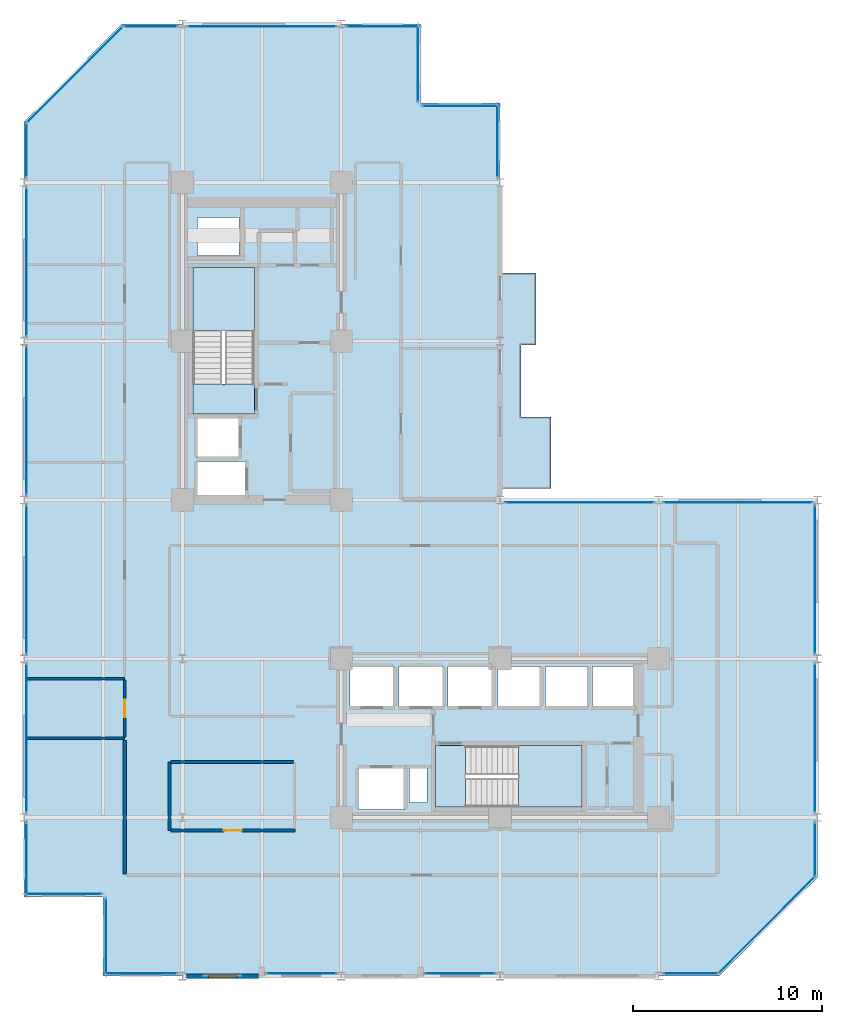
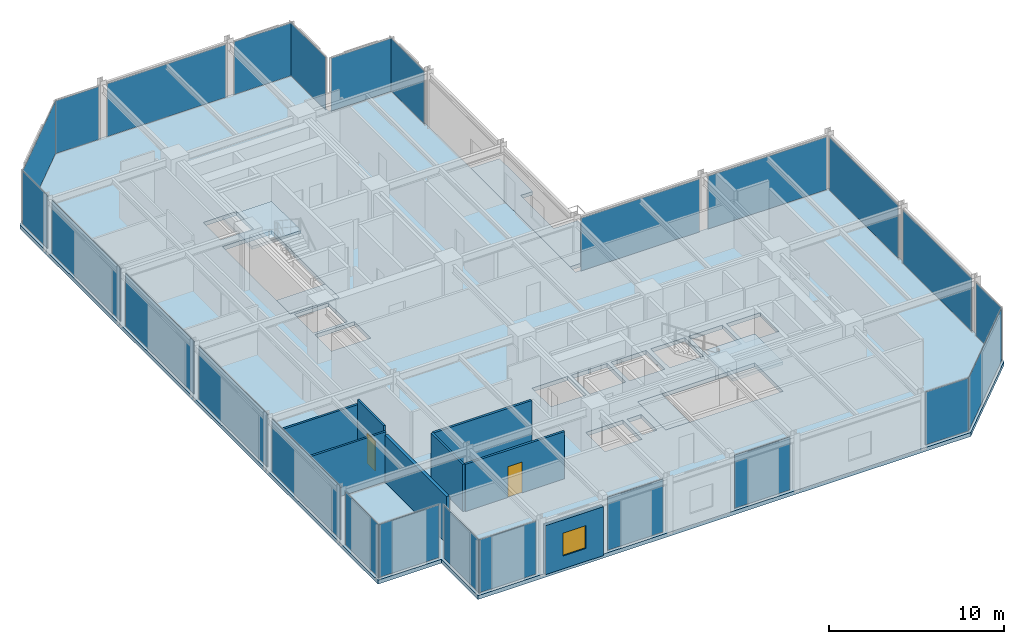
# One storey, part 23 of 29: 25 plates, 8 walls, 6 slabs, 2 doors, 1 window, 3 openings, 27 elements without a shape of their own.
"""IFC4 building model written with IfcOpenShell, lengths in metres."""

from ifc_helpers import new_model, si_unit, direction, frame, frame_2d, origin, origin_2d, place, context, subcontext, project, spatial, polyline, rectangle, outline, extrude, material, layer, layer_set, type_object, element, fill, aggregate, save


model = new_model("IFC4")

# Units and contexts
model_context = context("Model", 3, precision=1e-05, world=origin(), true_north=direction((0.0, 1.0)))
body_context = subcontext(model_context, "Body", "Model", "MODEL_VIEW")
ifc_project = project(units=[si_unit("LENGTHUNIT", "METRE"), si_unit("AREAUNIT", "SQUARE_METRE"), si_unit("VOLUMEUNIT", "CUBIC_METRE"), si_unit("PLANEANGLEUNIT", "RADIAN"), si_unit("MASSUNIT", "GRAM", prefix="KILO")], contexts=[model_context])

# Site, building, storey
site_placement = place(None, origin())
site = spatial("IfcSite", under=ifc_project, at=site_placement, CompositionType="ELEMENT")
building_placement = place(site_placement, origin())
building = spatial("IfcBuilding", under=site, at=building_placement, Name="Nerrivon Quay Data Exchange", CompositionType="ELEMENT")
storey_placement = place(building_placement, frame((0.0, 0.0, 137.699951171875)))
storey = spatial("IfcBuildingStorey", under=building, at=storey_placement, Name="L32", CompositionType="ELEMENT", Elevation=137.699951171875)

# Curtain wall, plate
ifc_material_1 = material(Name="Anodised aluminium 6063-T6", Category="aluminium")
ifc_layer_1 = layer(ifc_material_1, 0.2099609375)
ifc_layer_set_1 = layer_set([ifc_layer_1], Name="Anodised aluminium 6063-T6")
curtain_wall_type = type_object("IfcCurtainWallType", Name="CW-SYS-02", PredefinedType="NOTDEFINED", material=ifc_layer_set_1)
curtain_wall_1_placement = place(storey_placement, origin())
curtain_wall_1 = element("IfcCurtainWall", 1, at=curtain_wall_1_placement, inside=storey, type_object=curtain_wall_type, Name="L32 Unitised Curtain Wall 1", PredefinedType="NOTDEFINED")
ifc_material_2 = material(Name="Double-glazed low-E solar control glass", Category="glass")
ifc_layer_2 = layer(ifc_material_2, 0.028076171875)
ifc_layer_set_2 = layer_set([ifc_layer_2], Name="Double-glazed low-E solar control glass")
plate_type = type_object("IfcPlateType", Name="CWP-GLZ-28", PredefinedType="CURTAIN_PANEL", material=ifc_layer_set_2)
plate_1_placement = place(storey_placement, frame((39.301025390625, 2.698974609375, 0.06494140625), z_axis=(0.0, 0.0, 1.0), x_axis=(-0.707106781187, -0.707106781187, 0.0)))
plate_1 = element("IfcPlate", 2, at=plate_1_placement, type_object=plate_type, Name="CW02 panel 1.1", PredefinedType="CURTAIN_PANEL", context=body_context, shape_type="SweptSolid", body=[
    extrude(rectangle(XDim=7.203857421875, YDim=0.028076171875, at=origin_2d()), origin(), (0.0, 0.0, 1.0), 3.695068359375),
])
aggregate(curtain_wall_1, [plate_1])

curtain_wall_2_placement = place(storey_placement, origin())
curtain_wall_2 = element("IfcCurtainWall", 3, at=curtain_wall_2_placement, inside=storey, type_object=curtain_wall_type, Name="L32 Unitised Curtain Wall 2", PredefinedType="NOTDEFINED")
plate_2_placement = place(storey_placement, frame((35.300048828125, 0.139892578125, 0.06494140625), z_axis=(0.0, 0.0, 1.0), x_axis=(-1.0, 0.0, 0.0)))
plate_2 = element("IfcPlate", 4, at=plate_2_placement, type_object=plate_type, Name="CW02 panel 1.1", PredefinedType="CURTAIN_PANEL", context=body_context, shape_type="SweptSolid", body=[
    extrude(rectangle(XDim=2.85009765625, YDim=0.028076171875, at=origin_2d()), origin(), (0.0, 0.0, 1.0), 3.695068359375),
])
aggregate(curtain_wall_2, [plate_2])

curtain_wall_3_placement = place(storey_placement, origin())
curtain_wall_3 = element("IfcCurtainWall", 5, at=curtain_wall_3_placement, inside=storey, type_object=curtain_wall_type, Name="L32 Unitised Curtain Wall 4", PredefinedType="NOTDEFINED")
plate_3_placement = place(storey_placement, frame((23.08740234375, 0.139892578125, 0.06494140625), z_axis=(0.0, 0.0, 1.0), x_axis=(-1.0, 0.0, 0.0)))
plate_3 = element("IfcPlate", 6, at=plate_3_placement, type_object=plate_type, Name="CW02 panel 1.1", PredefinedType="CURTAIN_PANEL", context=body_context, shape_type="SweptSolid", body=[
    extrude(rectangle(XDim=3.675048828125, YDim=0.028076171875, at=origin_2d()), origin(), (0.0, 0.0, 1.0), 3.695068359375),
])
aggregate(curtain_wall_3, [plate_3])

curtain_wall_4_placement = place(storey_placement, origin())
curtain_wall_4 = element("IfcCurtainWall", 7, at=curtain_wall_4_placement, inside=storey, type_object=curtain_wall_type, Name="L32 Unitised Curtain Wall 6", PredefinedType="NOTDEFINED")
plate_4_placement = place(storey_placement, frame((14.6875, 0.139892578125, 0.06494140625), z_axis=(0.0, 0.0, 1.0), x_axis=(-1.0, 0.0, 0.0)))
plate_4 = element("IfcPlate", 8, at=plate_4_placement, type_object=plate_type, Name="CW02 panel 1.1", PredefinedType="CURTAIN_PANEL", context=body_context, shape_type="SweptSolid", body=[
    extrude(rectangle(XDim=3.675048828125, YDim=0.028076171875, at=origin_2d()), origin(), (0.0, 0.0, 1.0), 3.695068359375),
])
aggregate(curtain_wall_4, [plate_4])

curtain_wall_5_placement = place(storey_placement, origin())
curtain_wall_5 = element("IfcCurtainWall", 9, at=curtain_wall_5_placement, inside=storey, type_object=curtain_wall_type, Name="L32 Unitised Curtain Wall 8", PredefinedType="NOTDEFINED")
plate_5_placement = place(storey_placement, frame((6.199951171875, 0.139892578125, 0.06494140625), z_axis=(0.0, 0.0, 1.0), x_axis=(-1.0, 0.0, 0.0)))
plate_5 = element("IfcPlate", 10, at=plate_5_placement, type_object=plate_type, Name="CW02 panel 1.1", PredefinedType="CURTAIN_PANEL", context=body_context, shape_type="SweptSolid", body=[
    extrude(rectangle(XDim=3.85009765625, YDim=0.028076171875, at=origin_2d()), origin(), (0.0, 0.0, 1.0), 3.695068359375),
])
aggregate(curtain_wall_5, [plate_5])

curtain_wall_6_placement = place(storey_placement, origin())
curtain_wall_6 = element("IfcCurtainWall", 11, at=curtain_wall_6_placement, inside=storey, type_object=curtain_wall_type, Name="L32 Unitised Curtain Wall 9", PredefinedType="NOTDEFINED")
plate_6_placement = place(storey_placement, frame((4.340087890625, 2.10009765625, 0.06494140625), z_axis=(0.0, 0.0, 1.0), x_axis=(0.0, 1.0, 0.0)))
plate_6 = element("IfcPlate", 12, at=plate_6_placement, type_object=plate_type, Name="CW02 panel 1.1", PredefinedType="CURTAIN_PANEL", context=body_context, shape_type="SweptSolid", body=[
    extrude(rectangle(XDim=4.050048828125, YDim=0.028076171875, at=origin_2d()), origin(), (0.0, 0.0, 1.0), 3.695068359375),
])
aggregate(curtain_wall_6, [plate_6])

curtain_wall_7_placement = place(storey_placement, origin())
curtain_wall_7 = element("IfcCurtainWall", 13, at=curtain_wall_7_placement, inside=storey, type_object=curtain_wall_type, Name="L32 Unitised Curtain Wall 10", PredefinedType="NOTDEFINED")
plate_7_placement = place(storey_placement, frame((2.10009765625, 4.340087890625, 0.06494140625), z_axis=(0.0, 0.0, 1.0), x_axis=(-1.0, 0.0, 0.0)))
plate_7 = element("IfcPlate", 14, at=plate_7_placement, type_object=plate_type, Name="CW02 panel 1.1", PredefinedType="CURTAIN_PANEL", context=body_context, shape_type="SweptSolid", body=[
    extrude(rectangle(XDim=4.050048828125, YDim=0.028076171875, at=origin_2d()), origin(), (0.0, 0.0, 1.0), 3.695068359375),
])
aggregate(curtain_wall_7, [plate_7])

curtain_wall_8_placement = place(storey_placement, origin())
curtain_wall_8 = element("IfcCurtainWall", 15, at=curtain_wall_8_placement, inside=storey, type_object=curtain_wall_type, Name="L32 Unitised Curtain Wall 11", PredefinedType="NOTDEFINED")
plate_8_placement = place(storey_placement, frame((0.139892578125, 6.199951171875, 0.06494140625), z_axis=(0.0, 0.0, 1.0), x_axis=(0.0, 1.0, 0.0)))
plate_8 = element("IfcPlate", 16, at=plate_8_placement, type_object=plate_type, Name="CW02 panel 1.1", PredefinedType="CURTAIN_PANEL", context=body_context, shape_type="SweptSolid", body=[
    extrude(rectangle(XDim=3.85009765625, YDim=0.028076171875, at=origin_2d()), origin(), (0.0, 0.0, 1.0), 3.695068359375),
])
aggregate(curtain_wall_8, [plate_8])

curtain_wall_9_placement = place(storey_placement, origin())
curtain_wall_9 = element("IfcCurtainWall", 17, at=curtain_wall_9_placement, inside=storey, type_object=curtain_wall_type, Name="L32 Unitised Curtain Wall 12", PredefinedType="NOTDEFINED")
plate_9_placement = place(storey_placement, frame((0.139892578125, 12.60009765625, 0.06494140625), z_axis=(0.0, 0.0, 1.0), x_axis=(0.0, 1.0, 0.0)))
plate_9 = element("IfcPlate", 18, at=plate_9_placement, type_object=plate_type, Name="CW02 panel 1.1", PredefinedType="CURTAIN_PANEL", context=body_context, shape_type="SweptSolid", body=[
    extrude(rectangle(XDim=7.85009765625, YDim=0.028076171875, at=origin_2d()), origin(), (0.0, 0.0, 1.0), 3.695068359375),
])
aggregate(curtain_wall_9, [plate_9])

curtain_wall_10_placement = place(storey_placement, origin())
curtain_wall_10 = element("IfcCurtainWall", 19, at=curtain_wall_10_placement, inside=storey, type_object=curtain_wall_type, Name="L32 Unitised Curtain Wall 13", PredefinedType="NOTDEFINED")
plate_10_placement = place(storey_placement, frame((0.139892578125, 21.0, 0.06494140625), z_axis=(0.0, 0.0, 1.0), x_axis=(0.0, 1.0, 0.0)))
plate_10 = element("IfcPlate", 20, at=plate_10_placement, type_object=plate_type, Name="CW02 panel 1.1", PredefinedType="CURTAIN_PANEL", context=body_context, shape_type="SweptSolid", body=[
    extrude(rectangle(XDim=7.85009765625, YDim=0.028076171875, at=origin_2d()), origin(), (0.0, 0.0, 1.0), 3.695068359375),
])
aggregate(curtain_wall_10, [plate_10])

curtain_wall_11_placement = place(storey_placement, origin())
curtain_wall_11 = element("IfcCurtainWall", 21, at=curtain_wall_11_placement, inside=storey, type_object=curtain_wall_type, Name="L32 Unitised Curtain Wall 14", PredefinedType="NOTDEFINED")
plate_11_placement = place(storey_placement, frame((0.139892578125, 29.39990234375, 0.06494140625), z_axis=(0.0, 0.0, 1.0), x_axis=(0.0, 1.0, 0.0)))
plate_11 = element("IfcPlate", 22, at=plate_11_placement, type_object=plate_type, Name="CW02 panel 1.1", PredefinedType="CURTAIN_PANEL", context=body_context, shape_type="SweptSolid", body=[
    extrude(rectangle(XDim=7.85009765625, YDim=0.028076171875, at=origin_2d()), origin(), (0.0, 0.0, 1.0), 3.695068359375),
])
aggregate(curtain_wall_11, [plate_11])

curtain_wall_12_placement = place(storey_placement, origin())
curtain_wall_12 = element("IfcCurtainWall", 23, at=curtain_wall_12_placement, inside=storey, type_object=curtain_wall_type, Name="L32 Unitised Curtain Wall 15", PredefinedType="NOTDEFINED")
plate_12_placement = place(storey_placement, frame((0.139892578125, 37.800048828125, 0.06494140625), z_axis=(0.0, 0.0, 1.0), x_axis=(0.0, 1.0, 0.0)))
plate_12 = element("IfcPlate", 24, at=plate_12_placement, type_object=plate_type, Name="CW02 panel 1.1", PredefinedType="CURTAIN_PANEL", context=body_context, shape_type="SweptSolid", body=[
    extrude(rectangle(XDim=7.85009765625, YDim=0.028076171875, at=origin_2d()), origin(), (0.0, 0.0, 1.0), 3.695068359375),
])
aggregate(curtain_wall_12, [plate_12])

curtain_wall_13_placement = place(storey_placement, origin())
curtain_wall_13 = element("IfcCurtainWall", 25, at=curtain_wall_13_placement, inside=storey, type_object=curtain_wall_type, Name="L32 Unitised Curtain Wall 16", PredefinedType="NOTDEFINED")
plate_13_placement = place(storey_placement, frame((0.139892578125, 43.699951171875, 0.06494140625), z_axis=(0.0, 0.0, 1.0), x_axis=(0.0, 1.0, 0.0)))
plate_13 = element("IfcPlate", 26, at=plate_13_placement, type_object=plate_type, Name="CW02 panel 1.1", PredefinedType="CURTAIN_PANEL", context=body_context, shape_type="SweptSolid", body=[
    extrude(rectangle(XDim=2.85009765625, YDim=0.028076171875, at=origin_2d()), origin(), (0.0, 0.0, 1.0), 3.695068359375),
])
aggregate(curtain_wall_13, [plate_13])

curtain_wall_14_placement = place(storey_placement, origin())
curtain_wall_14 = element("IfcCurtainWall", 27, at=curtain_wall_14_placement, inside=storey, type_object=curtain_wall_type, Name="L32 Unitised Curtain Wall 17", PredefinedType="NOTDEFINED")
plate_14_placement = place(storey_placement, frame((2.698974609375, 47.700927734375, 0.06494140625), z_axis=(0.0, 0.0, 1.0), x_axis=(0.707106781187, 0.707106781187, 0.0)))
plate_14 = element("IfcPlate", 28, at=plate_14_placement, type_object=plate_type, Name="CW02 panel 1.1", PredefinedType="CURTAIN_PANEL", context=body_context, shape_type="SweptSolid", body=[
    extrude(rectangle(XDim=7.203857421875, YDim=0.028076171875, at=origin_2d()), origin(), (0.0, 0.0, 1.0), 3.695068359375),
])
aggregate(curtain_wall_14, [plate_14])

curtain_wall_15_placement = place(storey_placement, origin())
curtain_wall_15 = element("IfcCurtainWall", 29, at=curtain_wall_15_placement, inside=storey, type_object=curtain_wall_type, Name="L32 Unitised Curtain Wall 18", PredefinedType="NOTDEFINED")
plate_15_placement = place(storey_placement, frame((6.699951171875, 50.260009765625, 0.06494140625), z_axis=(0.0, 0.0, 1.0), x_axis=(1.0, 0.0, 0.0)))
plate_15 = element("IfcPlate", 30, at=plate_15_placement, type_object=plate_type, Name="CW02 panel 1.1", PredefinedType="CURTAIN_PANEL", context=body_context, shape_type="SweptSolid", body=[
    extrude(rectangle(XDim=2.85009765625, YDim=0.028076171875, at=origin_2d()), origin(), (0.0, 0.0, 1.0), 3.695068359375),
])
aggregate(curtain_wall_15, [plate_15])

curtain_wall_16_placement = place(storey_placement, origin())
curtain_wall_16 = element("IfcCurtainWall", 31, at=curtain_wall_16_placement, inside=storey, type_object=curtain_wall_type, Name="L32 Unitised Curtain Wall 19", PredefinedType="NOTDEFINED")
plate_16_placement = place(storey_placement, frame((12.60009765625, 50.260009765625, 0.06494140625), z_axis=(0.0, 0.0, 1.0), x_axis=(1.0, 0.0, 0.0)))
plate_16 = element("IfcPlate", 32, at=plate_16_placement, type_object=plate_type, Name="CW02 panel 1.1", PredefinedType="CURTAIN_PANEL", context=body_context, shape_type="SweptSolid", body=[
    extrude(rectangle(XDim=7.85009765625, YDim=0.028076171875, at=origin_2d()), origin(), (0.0, 0.0, 1.0), 3.695068359375),
])
aggregate(curtain_wall_16, [plate_16])

curtain_wall_17_placement = place(storey_placement, origin())
curtain_wall_17 = element("IfcCurtainWall", 33, at=curtain_wall_17_placement, inside=storey, type_object=curtain_wall_type, Name="L32 Unitised Curtain Wall 20", PredefinedType="NOTDEFINED")
plate_17_placement = place(storey_placement, frame((19.0, 50.260009765625, 0.06494140625), z_axis=(0.0, 0.0, 1.0), x_axis=(1.0, 0.0, 0.0)))
plate_17 = element("IfcPlate", 34, at=plate_17_placement, type_object=plate_type, Name="CW02 panel 1.1", PredefinedType="CURTAIN_PANEL", context=body_context, shape_type="SweptSolid", body=[
    extrude(rectangle(XDim=3.85009765625, YDim=0.028076171875, at=origin_2d()), origin(), (0.0, 0.0, 1.0), 3.695068359375),
])
aggregate(curtain_wall_17, [plate_17])

curtain_wall_18_placement = place(storey_placement, origin())
curtain_wall_18 = element("IfcCurtainWall", 35, at=curtain_wall_18_placement, inside=storey, type_object=curtain_wall_type, Name="L32 Unitised Curtain Wall 21", PredefinedType="NOTDEFINED")
plate_18_placement = place(storey_placement, frame((20.860107421875, 48.300048828125, 0.06494140625), z_axis=(0.0, 0.0, 1.0), x_axis=(0.0, -1.0, 0.0)))
plate_18 = element("IfcPlate", 36, at=plate_18_placement, type_object=plate_type, Name="CW02 panel 1.1", PredefinedType="CURTAIN_PANEL", context=body_context, shape_type="SweptSolid", body=[
    extrude(rectangle(XDim=4.050048828125, YDim=0.028076171875, at=origin_2d()), origin(), (0.0, 0.0, 1.0), 3.695068359375),
])
aggregate(curtain_wall_18, [plate_18])

curtain_wall_19_placement = place(storey_placement, origin())
curtain_wall_19 = element("IfcCurtainWall", 37, at=curtain_wall_19_placement, inside=storey, type_object=curtain_wall_type, Name="L32 Unitised Curtain Wall 22", PredefinedType="NOTDEFINED")
plate_19_placement = place(storey_placement, frame((23.10009765625, 46.06005859375, 0.06494140625), z_axis=(0.0, 0.0, 1.0), x_axis=(1.0, 0.0, 0.0)))
plate_19 = element("IfcPlate", 38, at=plate_19_placement, type_object=plate_type, Name="CW02 panel 1.1", PredefinedType="CURTAIN_PANEL", context=body_context, shape_type="SweptSolid", body=[
    extrude(rectangle(XDim=4.050048828125, YDim=0.028076171875, at=origin_2d()), origin(), (0.0, 0.0, 1.0), 3.695068359375),
])
aggregate(curtain_wall_19, [plate_19])

curtain_wall_20_placement = place(storey_placement, origin())
curtain_wall_20 = element("IfcCurtainWall", 39, at=curtain_wall_20_placement, inside=storey, type_object=curtain_wall_type, Name="L32 Unitised Curtain Wall 23", PredefinedType="NOTDEFINED")
plate_20_placement = place(storey_placement, frame((25.06005859375, 44.199951171875, 0.06494140625), z_axis=(0.0, 0.0, 1.0), x_axis=(0.0, -1.0, 0.0)))
plate_20 = element("IfcPlate", 40, at=plate_20_placement, type_object=plate_type, Name="CW02 panel 1.1", PredefinedType="CURTAIN_PANEL", context=body_context, shape_type="SweptSolid", body=[
    extrude(rectangle(XDim=3.85009765625, YDim=0.028076171875, at=origin_2d()), origin(), (0.0, 0.0, 1.0), 3.695068359375),
])
aggregate(curtain_wall_20, [plate_20])

curtain_wall_21_placement = place(storey_placement, origin())
curtain_wall_21 = element("IfcCurtainWall", 41, at=curtain_wall_21_placement, inside=storey, type_object=curtain_wall_type, Name="L32 Unitised Curtain Wall 26", PredefinedType="NOTDEFINED")
plate_21_placement = place(storey_placement, frame((29.39990234375, 25.06005859375, 0.06494140625), z_axis=(0.0, 0.0, 1.0), x_axis=(1.0, 0.0, 0.0)))
plate_21 = element("IfcPlate", 42, at=plate_21_placement, type_object=plate_type, Name="CW02 panel 1.1", PredefinedType="CURTAIN_PANEL", context=body_context, shape_type="SweptSolid", body=[
    extrude(rectangle(XDim=7.85009765625, YDim=0.028076171875, at=origin_2d()), origin(), (0.0, 0.0, 1.0), 3.695068359375),
])
aggregate(curtain_wall_21, [plate_21])

curtain_wall_22_placement = place(storey_placement, origin())
curtain_wall_22 = element("IfcCurtainWall", 43, at=curtain_wall_22_placement, inside=storey, type_object=curtain_wall_type, Name="L32 Unitised Curtain Wall 27", PredefinedType="NOTDEFINED")
plate_22_placement = place(storey_placement, frame((37.800048828125, 25.06005859375, 0.06494140625), z_axis=(0.0, 0.0, 1.0), x_axis=(1.0, 0.0, 0.0)))
plate_22 = element("IfcPlate", 44, at=plate_22_placement, type_object=plate_type, Name="CW02 panel 1.1", PredefinedType="CURTAIN_PANEL", context=body_context, shape_type="SweptSolid", body=[
    extrude(rectangle(XDim=7.85009765625, YDim=0.028076171875, at=origin_2d()), origin(), (0.0, 0.0, 1.0), 3.695068359375),
])
aggregate(curtain_wall_22, [plate_22])

curtain_wall_23_placement = place(storey_placement, origin())
curtain_wall_23 = element("IfcCurtainWall", 45, at=curtain_wall_23_placement, inside=storey, type_object=curtain_wall_type, Name="L32 Unitised Curtain Wall 28", PredefinedType="NOTDEFINED")
plate_23_placement = place(storey_placement, frame((41.860107421875, 21.0, 0.06494140625), z_axis=(0.0, 0.0, 1.0), x_axis=(0.0, -1.0, 0.0)))
plate_23 = element("IfcPlate", 46, at=plate_23_placement, type_object=plate_type, Name="CW02 panel 1.1", PredefinedType="CURTAIN_PANEL", context=body_context, shape_type="SweptSolid", body=[
    extrude(rectangle(XDim=7.85009765625, YDim=0.028076171875, at=origin_2d()), origin(), (0.0, 0.0, 1.0), 3.695068359375),
])
aggregate(curtain_wall_23, [plate_23])

curtain_wall_24_placement = place(storey_placement, origin())
curtain_wall_24 = element("IfcCurtainWall", 47, at=curtain_wall_24_placement, inside=storey, type_object=curtain_wall_type, Name="L32 Unitised Curtain Wall 29", PredefinedType="NOTDEFINED")
plate_24_placement = place(storey_placement, frame((41.860107421875, 12.60009765625, 0.06494140625), z_axis=(0.0, 0.0, 1.0), x_axis=(0.0, -1.0, 0.0)))
plate_24 = element("IfcPlate", 48, at=plate_24_placement, type_object=plate_type, Name="CW02 panel 1.1", PredefinedType="CURTAIN_PANEL", context=body_context, shape_type="SweptSolid", body=[
    extrude(rectangle(XDim=7.85009765625, YDim=0.028076171875, at=origin_2d()), origin(), (0.0, 0.0, 1.0), 3.695068359375),
])
aggregate(curtain_wall_24, [plate_24])

curtain_wall_25_placement = place(storey_placement, origin())
curtain_wall_25 = element("IfcCurtainWall", 49, at=curtain_wall_25_placement, inside=storey, type_object=curtain_wall_type, Name="L32 Unitised Curtain Wall 30", PredefinedType="NOTDEFINED")
plate_25_placement = place(storey_placement, frame((41.860107421875, 6.699951171875, 0.06494140625), z_axis=(0.0, 0.0, 1.0), x_axis=(0.0, -1.0, 0.0)))
plate_25 = element("IfcPlate", 50, at=plate_25_placement, type_object=plate_type, Name="CW02 panel 1.1", PredefinedType="CURTAIN_PANEL", context=body_context, shape_type="SweptSolid", body=[
    extrude(rectangle(XDim=2.85009765625, YDim=0.028076171875, at=origin_2d()), origin(), (0.0, 0.0, 1.0), 3.695068359375),
])
aggregate(curtain_wall_25, [plate_25])

# Slab
ifc_material_3 = material(Name="Precast white architectural concrete N50 (50 MPa)", Category="concrete")
ifc_layer_3 = layer(ifc_material_3, 0.25)
ifc_layer_set_3 = layer_set([ifc_layer_3], Name="Precast white architectural concrete N50 (50 MPa)")
slab_type_1 = type_object("IfcSlabType", Name="SLB-BAL-250", PredefinedType="FLOOR", material=ifc_layer_set_3)
slab_1_placement = place(storey_placement, frame((0.0, 0.0, -0.25)))
element("IfcSlab", 51, at=slab_1_placement, inside=storey, type_object=slab_type_1, Name="L32 Waterfront Subtropical Verandah", PredefinedType="FLOOR", context=body_context, shape_type="SweptSolid", body=[
    extrude(outline(polyline([(26.300048828125, 29.60009765625), (26.300048828125, 33.39990234375), (27.10009765625, 33.39990234375), (27.10009765625, 37.199951171875), (25.199951171875, 37.199951171875), (25.199951171875, 33.39990234375), (25.199951171875, 29.60009765625), (25.199951171875, 25.800048828125), (27.89990234375, 25.800048828125), (27.89990234375, 29.60009765625), (26.300048828125, 29.60009765625)])), origin(), (0.0, 0.0, 1.0), 0.25),
])

# Stair, slab
ifc_material_4 = material(Name="Concrete N50 (50 MPa)", Category="concrete")
stair_type = type_object("IfcStairType", Name="STAIR-DOG-41", PredefinedType="HALF_TURN_STAIR", material=ifc_material_4)
stair_1_placement = place(storey_placement, origin())
stair_1 = element("IfcStair", 52, at=stair_1_placement, inside=storey, type_object=stair_type, Name="L32 West Core Fire Stair ST01", PredefinedType="HALF_TURN_STAIR")
ifc_layer_4 = layer(ifc_material_4, 0.199951171875)
ifc_layer_set_4 = layer_set([ifc_layer_4], Name="Concrete N50 (50 MPa)")
slab_type_2 = type_object("IfcSlabType", Name="SLB-LAND-200", PredefinedType="LANDING", material=ifc_layer_set_4)
slab_2_placement = place(storey_placement, frame((0.0, 0.0, 1.85009765625)))
slab_2 = element("IfcSlab", 53, at=slab_2_placement, type_object=slab_type_2, Name="ST01 landing 1", PredefinedType="LANDING", context=body_context, shape_type="SweptSolid", body=[
    extrude(outline(polyline([(12.199951171875, 34.1298828125), (12.199951171875, 37.5), (8.949951171875, 37.5), (8.949951171875, 34.1298828125), (12.199951171875, 34.1298828125)])), origin(), (0.0, 0.0, 1.0), 0.199951171875),
])
aggregate(stair_1, [slab_2])

# Slab
slab_3_placement = place(storey_placement, frame((0.0, 0.0, -0.199951171875)))
element("IfcSlab", 54, at=slab_3_placement, inside=storey, type_object=slab_type_2, Name="L32 ST01 floor landing", PredefinedType="LANDING", context=body_context, shape_type="SweptSolid", body=[
    extrude(outline(polyline([(12.199951171875, 29.75), (12.199951171875, 31.330078125), (8.949951171875, 31.330078125), (8.949951171875, 29.75), (12.199951171875, 29.75)])), origin(), (0.0, 0.0, 1.0), 0.199951171875),
])

# Stair, slab
stair_2_placement = place(storey_placement, origin())
stair_2 = element("IfcStair", 55, at=stair_2_placement, inside=storey, type_object=stair_type, Name="L32 East Core Fire Stair ST02", PredefinedType="HALF_TURN_STAIR")
slab_4_placement = place(storey_placement, frame((0.0, 0.0, 1.85009765625)))
slab_4 = element("IfcSlab", 56, at=slab_4_placement, type_object=slab_type_2, Name="ST02 landing 1", PredefinedType="LANDING", context=body_context, shape_type="SweptSolid", body=[
    extrude(outline(polyline([(26.179931640625, 8.949951171875), (29.550048828125, 8.949951171875), (29.550048828125, 12.199951171875), (26.179931640625, 12.199951171875), (26.179931640625, 8.949951171875)])), origin(), (0.0, 0.0, 1.0), 0.199951171875),
])
aggregate(stair_2, [slab_4])

# Slabs
slab_5_placement = place(storey_placement, frame((0.0, 0.0, -0.199951171875)))
element("IfcSlab", 57, at=slab_5_placement, inside=storey, type_object=slab_type_2, Name="L32 ST02 floor landing", PredefinedType="LANDING", context=body_context, shape_type="SweptSolid", body=[
    extrude(outline(polyline([(21.800048828125, 8.949951171875), (23.3798828125, 8.949951171875), (23.3798828125, 12.199951171875), (21.800048828125, 12.199951171875), (21.800048828125, 8.949951171875)])), origin(), (0.0, 0.0, 1.0), 0.199951171875),
])
ifc_layer_5 = layer(ifc_material_4, 0.27490234375)
ifc_layer_set_5 = layer_set([ifc_layer_5], Name="Concrete N50 (50 MPa)")
slab_type_3 = type_object("IfcSlabType", Name="SLB-TOW-275", PredefinedType="FLOOR", material=ifc_layer_set_5)
slab_6_placement = place(storey_placement, frame((0.0, 0.0, -0.27490234375)))
element("IfcSlab", 58, at=slab_6_placement, inside=storey, type_object=slab_type_3, Name="L32 Primary Structural Slab", PredefinedType="FLOOR", context=body_context, shape_type="SweptSolid", body=[
    extrude(outline(polyline([(42.0, 25.199951171875), (25.199951171875, 25.199951171875), (25.199951171875, 46.199951171875), (21.0, 46.199951171875), (21.0, 50.39990234375), (5.199951171875, 50.39990234375), (0.0, 45.199951171875), (0.0, 4.199951171875), (4.199951171875, 4.199951171875), (4.199951171875, 0.0), (36.800048828125, 0.0), (42.0, 5.199951171875), (42.0, 25.199951171875)]), holes=[polyline([(8.949951171875, 29.75), (8.949951171875, 37.5), (12.199951171875, 37.5), (12.199951171875, 29.75), (8.949951171875, 29.75)]), polyline([(21.800048828125, 12.199951171875), (29.550048828125, 12.199951171875), (29.550048828125, 8.949951171875), (21.800048828125, 8.949951171875), (21.800048828125, 12.199951171875)]), polyline([(30.10009765625, 16.39990234375), (32.35009765625, 16.39990234375), (32.35009765625, 14.25), (30.10009765625, 14.25), (30.10009765625, 16.39990234375)]), polyline([(27.60009765625, 16.39990234375), (29.85009765625, 16.39990234375), (29.85009765625, 14.25), (27.60009765625, 14.25), (27.60009765625, 16.39990234375)]), polyline([(25.10009765625, 14.25), (25.10009765625, 16.39990234375), (27.35009765625, 16.39990234375), (27.35009765625, 14.25), (25.10009765625, 14.25)]), polyline([(22.449951171875, 16.39990234375), (24.800048828125, 16.39990234375), (24.800048828125, 14.25), (22.449951171875, 14.25), (22.449951171875, 16.39990234375)]), polyline([(19.85009765625, 16.39990234375), (22.199951171875, 16.39990234375), (22.199951171875, 14.25), (19.85009765625, 14.25), (19.85009765625, 16.39990234375)]), polyline([(20.39990234375, 9.199951171875), (20.39990234375, 11.0), (21.35009765625, 11.0), (21.35009765625, 9.199951171875), (20.39990234375, 9.199951171875)]), polyline([(17.699951171875, 8.830078125), (17.699951171875, 11.030029296875), (20.14990234375, 11.030029296875), (20.14990234375, 8.830078125), (17.699951171875, 8.830078125)]), polyline([(17.25, 14.25), (17.25, 16.39990234375), (19.60009765625, 16.39990234375), (19.60009765625, 14.25), (17.25, 14.25)]), polyline([(9.14990234375, 27.25), (11.75, 27.25), (11.75, 25.35009765625), (9.14990234375, 25.35009765625), (9.14990234375, 27.25)]), polyline([(9.14990234375, 29.60009765625), (11.39990234375, 29.60009765625), (11.39990234375, 27.449951171875), (9.14990234375, 27.449951171875), (9.14990234375, 29.60009765625)]), polyline([(9.199951171875, 38.14990234375), (9.199951171875, 40.14990234375), (11.39990234375, 40.14990234375), (11.39990234375, 38.14990234375), (9.199951171875, 38.14990234375)])]), origin(), (0.0, 0.0, 1.0), 0.27490234375),
])

# Wall, opening, window
ifc_material_5 = material(Name="Architectural terracotta precast concrete N50 (50 MPa)", Category="masonry")
ifc_layer_6 = layer(ifc_material_5, 0.239990234375)
ifc_layer_set_6 = layer_set([ifc_layer_6], Name="Architectural terracotta precast concrete N50 (50 MPa)")
wall_type_1 = type_object("IfcWallType", Name="EW-PREC-240", PredefinedType="STANDARD", material=ifc_layer_set_6)
wall_1_placement = place(storey_placement, frame((12.425048828125, 0.0, 0.0), z_axis=(0.0, 0.0, 1.0), x_axis=(-1.0, 0.0, 0.0)))
wall_1 = element("IfcWall", 59, at=wall_1_placement, inside=storey, type_object=wall_type_1, Name="L32 Podium Precast Spandrel Wall 7", PredefinedType="STANDARD", context=body_context, shape_type="SweptSolid", body=[
    extrude(rectangle(XDim=3.824951171875, YDim=0.239990234375, at=frame_2d((1.91259765625, 0.0))), origin(), (0.0, 0.0, 1.0), 3.422119140625),
])
opening_1_placement = place(wall_1_placement, frame((1.16259765625, 0.0, 0.89990234375)))
opening_1 = element("IfcOpeningElement", 60, at=opening_1_placement, cuts=wall_1, Name="Opening WN4", PredefinedType="OPENING", context=body_context, shape_type="SweptSolid", body=[
    extrude(rectangle(XDim=1.5, YDim=1.60009765625, at=frame_2d((0.75, 0.800048828125))), frame((0.0, 0.1298828125, 0.0), z_axis=(0.0, -1.0, 0.0), x_axis=(1.0, 0.0, 0.0)), (0.0, 0.0, 1.0), 0.260009765625),
])
window_type = type_object("IfcWindowType", Name="WIN-W4-1500x1600", PartitioningType="SINGLE_PANEL", PredefinedType="WINDOW", material=ifc_material_2)
window_placement = place(opening_1_placement, origin())
window = element("IfcWindow", 61, at=window_placement, inside=storey, type_object=window_type, Name="L32 Solar Facade Window 7", OverallHeight=1.60009765625, OverallWidth=1.5, PartitioningType="SINGLE_PANEL", PredefinedType="WINDOW", context=body_context, shape_type="SweptSolid", body=[
    extrude(rectangle(XDim=1.5, YDim=1.60009765625, at=frame_2d((0.75, 0.800048828125))), frame((0.0, 0.030029296875, 0.0), z_axis=(0.0, -1.0, 0.0), x_axis=(1.0, 0.0, 0.0)), (0.0, 0.0, 1.0), 0.06005859375),
])
fill(opening_1, window)

# Wall
ifc_material_6 = material(Name="Gypsum plasterboard on cold-formed framing", Category="gypsum")
ifc_layer_7 = layer(ifc_material_6, 0.199951171875)
ifc_layer_set_7 = layer_set([ifc_layer_7], Name="Gypsum plasterboard on cold-formed framing")
wall_type_2 = type_object("IfcWallType", Name="WALL-FW-200", PredefinedType="PARTITIONING", material=ifc_layer_set_7)
wall_2_placement = place(storey_placement, frame((5.340087890625, 5.39990234375, 0.0), z_axis=(0.0, 0.0, 1.0), x_axis=(0.0, 1.0, 0.0)))
element("IfcWall", 62, at=wall_2_placement, inside=storey, type_object=wall_type_2, Name="L32 Partition Colocation Data Workspace 1", PredefinedType="PARTITIONING", context=body_context, shape_type="SweptSolid", body=[
    extrude(rectangle(XDim=7.080078125, YDim=0.199951171875, at=frame_2d((3.5400390625, 0.0))), origin(), (0.0, 0.0, 1.0), 3.2919921875),
])

# Wall, opening, door
ifc_layer_8 = layer(ifc_material_6, 0.1201171875)
ifc_layer_set_8 = layer_set([ifc_layer_8], Name="Gypsum plasterboard on cold-formed framing")
wall_type_3 = type_object("IfcWallType", Name="WALL-PT-120", PredefinedType="PARTITIONING", material=ifc_layer_set_8)
wall_3_placement = place(storey_placement, frame((5.340087890625, 12.67138671875, 0.0), z_axis=(0.0, 0.0, 1.0), x_axis=(0.0, 1.0, 0.0)))
wall_3 = element("IfcWall", 63, at=wall_3_placement, inside=storey, type_object=wall_type_3, Name="L32 Partition Accessible Toilet", PredefinedType="PARTITIONING", context=body_context, shape_type="SweptSolid", body=[
    extrude(rectangle(XDim=3.007080078125, YDim=0.1201171875, at=frame_2d((1.50341796875, 0.0))), origin(), (0.0, 0.0, 1.0), 3.824951171875),
])
opening_2_placement = place(wall_3_placement, frame((1.04345703125, 0.0, 0.0)))
opening_2 = element("IfcOpeningElement", 64, at=opening_2_placement, cuts=wall_3, Name="Opening D-WC", PredefinedType="OPENING", context=body_context, shape_type="SweptSolid", body=[
    extrude(rectangle(XDim=0.919921875, YDim=2.10009765625, at=frame_2d((0.4599609375, 1.050048828125))), frame((0.0, 0.070068359375, 0.0), z_axis=(0.0, -1.0, 0.0), x_axis=(1.0, 0.0, 0.0)), (0.0, 0.0, 1.0), 0.14013671875),
])
ifc_material_7 = material(Name="Engineered hardwood timber", Category="wood")
door_type_1 = type_object("IfcDoorType", Name="DR-WC-920", OperationType="NOTDEFINED", PredefinedType="DOOR", material=ifc_material_7)
door_1_placement = place(opening_2_placement, origin())
door_1 = element("IfcDoor", 65, at=door_1_placement, inside=storey, type_object=door_type_1, Name="L32 Door Accessible Toilet", OperationType="SINGLE_SWING_LEFT", OverallHeight=2.10009765625, OverallWidth=0.919921875, PredefinedType="DOOR", context=body_context, shape_type="SweptSolid", body=[
    extrude(rectangle(XDim=0.919921875, YDim=2.10009765625, at=frame_2d((0.4599609375, 1.050048828125))), frame((0.0, 0.02490234375, 0.0), z_axis=(0.0, -1.0, 0.0), x_axis=(1.0, 0.0, 0.0)), (0.0, 0.0, 1.0), 0.050048828125),
])
fill(opening_2, door_1)

# Walls
ifc_layer_9 = layer(ifc_material_6, 0.135009765625)
ifc_layer_set_9 = layer_set([ifc_layer_9], Name="Gypsum plasterboard on cold-formed framing")
wall_type_4 = type_object("IfcWallType", Name="WALL-PT-135", PredefinedType="PARTITIONING", material=ifc_layer_set_9)
for number, where, z_axis, x_axis, name in (
    (66, (5.340087890625, 15.75, 0.0), (0.0, 0.0, 1.0), (-1.0, 0.0, 0.0), "L32 Partition Accessible Toilet"),
    (67, (0.1689453125, 12.60009765625, 0.0), (0.0, 0.0, 1.0), (1.0, 0.0, 0.0), "L32 Partition Accessible Toilet"),
):
    element("IfcWall", number, at=place(storey_placement, frame(where, z_axis=z_axis, x_axis=x_axis)), inside=storey, type_object=wall_type_4, Name=name, PredefinedType="PARTITIONING", context=body_context, shape_type="SweptSolid", body=[
        extrude(rectangle(XDim=5.171142578125, YDim=0.135009765625, at=frame_2d((2.58544921875, 0.0))), origin(), (0.0, 0.0, 1.0), 3.468994140625),
    ])
wall_4_placement = place(storey_placement, frame((7.7099609375, 11.340087890625, 0.0), z_axis=(0.0, 0.0, 1.0), x_axis=(0.0, -1.0, 0.0)))
element("IfcWall", 68, at=wall_4_placement, inside=storey, type_object=wall_type_4, Name="L32 Partition Client Conference Room 1", PredefinedType="PARTITIONING", context=body_context, shape_type="SweptSolid", body=[
    extrude(rectangle(XDim=3.630126953125, YDim=0.135009765625, at=frame_2d((1.81494140625, 0.0))), origin(), (0.0, 0.0, 1.0), 3.2919921875),
])

# Wall, opening, door
ifc_layer_10 = layer(ifc_material_6, 0.14990234375)
ifc_layer_set_10 = layer_set([ifc_layer_10], Name="Gypsum plasterboard on cold-formed framing")
wall_type_5 = type_object("IfcWallType", Name="WALL-PT-150", PredefinedType="PARTITIONING", material=ifc_layer_set_10)
wall_5_placement = place(storey_placement, frame((7.781494140625, 7.7099609375, 0.0), z_axis=(0.0, 0.0, 1.0), x_axis=(1.0, 0.0, 0.0)))
wall_5 = element("IfcWall", 69, at=wall_5_placement, inside=storey, type_object=wall_type_5, Name="L32 Partition Client Conference Room 1", PredefinedType="PARTITIONING", context=body_context, shape_type="SweptSolid", body=[
    extrude(rectangle(XDim=6.55859375, YDim=0.14990234375, at=frame_2d((3.279296875, 0.0))), origin(), (0.0, 0.0, 1.0), 3.297119140625),
])
opening_3_placement = place(wall_5_placement, frame((2.80419921875, 0.0, 0.0)))
opening_3 = element("IfcOpeningElement", 70, at=opening_3_placement, cuts=wall_5, Name="Opening D-01", PredefinedType="OPENING", context=body_context, shape_type="SweptSolid", body=[
    extrude(rectangle(XDim=0.949951171875, YDim=2.14990234375, at=frame_2d((0.47509765625, 1.074951171875))), frame((0.0, 0.0849609375, 0.0), z_axis=(0.0, -1.0, 0.0), x_axis=(1.0, 0.0, 0.0)), (0.0, 0.0, 1.0), 0.169921875),
])
door_type_2 = type_object("IfcDoorType", Name="DR-INT-950", OperationType="NOTDEFINED", PredefinedType="DOOR", material=ifc_material_7)
door_2_placement = place(opening_3_placement, origin())
door_2 = element("IfcDoor", 71, at=door_2_placement, inside=storey, type_object=door_type_2, Name="L32 Door Client Conference Room 1", OperationType="SINGLE_SWING_RIGHT", OverallHeight=2.14990234375, OverallWidth=0.949951171875, PredefinedType="DOOR", context=body_context, shape_type="SweptSolid", body=[
    extrude(rectangle(XDim=0.949951171875, YDim=2.14990234375, at=frame_2d((0.47509765625, 1.074951171875))), frame((0.0, 0.02490234375, 0.0), z_axis=(0.0, -1.0, 0.0), x_axis=(1.0, 0.0, 0.0)), (0.0, 0.0, 1.0), 0.050048828125),
])
fill(opening_3, door_2)

# Wall
wall_6_placement = place(storey_placement, frame((14.2685546875, 11.340087890625, 0.0), z_axis=(0.0, 0.0, 1.0), x_axis=(-1.0, 0.0, 0.0)))
element("IfcWall", 72, at=wall_6_placement, inside=storey, type_object=wall_type_5, Name="L32 Partition Client Conference Room 1", PredefinedType="PARTITIONING", context=body_context, shape_type="SweptSolid", body=[
    extrude(rectangle(XDim=6.487060546875, YDim=0.14990234375, at=frame_2d((3.24365234375, 0.0))), origin(), (0.0, 0.0, 1.0), 3.297119140625),
])

save(model, "model.ifc")
